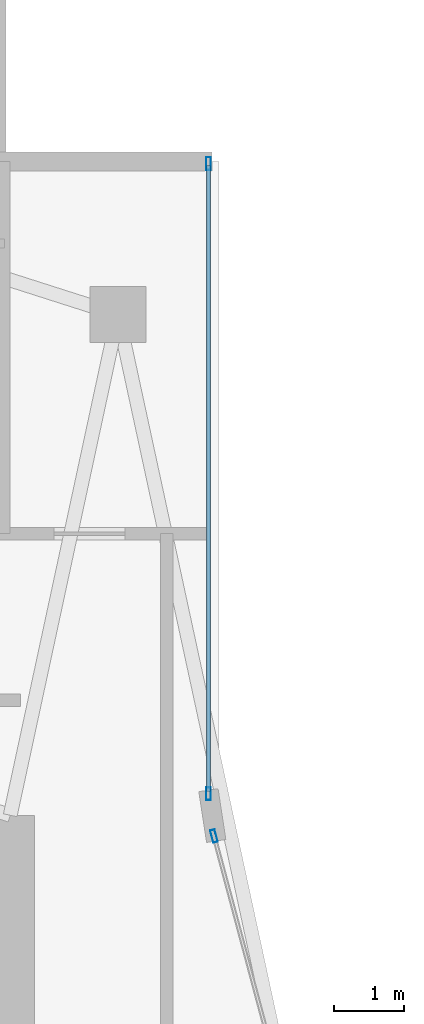
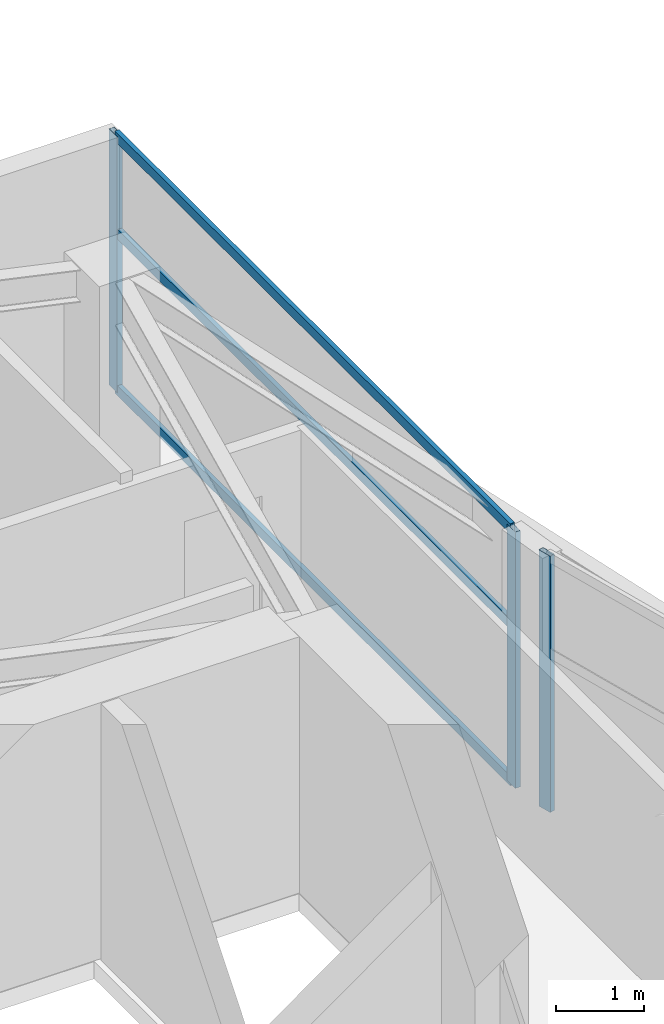
# One storey, part 20 of 30: 6 members, 2 elements without a shape of their own.
"""IFC4 building model written with IfcOpenShell, lengths in metres."""

from ifc_helpers import new_model, si_unit, direction, frame, origin, origin_2d, place, context, subcontext, project, spatial, hollow_rectangle, extrude, material, layer, layer_set, material_profile, profile_set, type_object, element, aggregate, save


model = new_model("IFC4")

# Units and contexts
model_context = context("Model", 3, precision=1e-05, world=origin(), true_north=direction((0.0, 1.0)))
body_context = subcontext(model_context, "Body", "Model", "MODEL_VIEW")
ifc_project = project(units=[si_unit("LENGTHUNIT", "METRE"), si_unit("AREAUNIT", "SQUARE_METRE"), si_unit("VOLUMEUNIT", "CUBIC_METRE"), si_unit("PLANEANGLEUNIT", "RADIAN"), si_unit("MASSUNIT", "GRAM", prefix="KILO")], contexts=[model_context])

# Site, building, storey
site_placement = place(None, origin())
site = spatial("IfcSite", under=ifc_project, at=site_placement, CompositionType="ELEMENT")
building_placement = place(site_placement, origin())
building = spatial("IfcBuilding", under=site, at=building_placement, Name="Calvorn Quay Hotel", CompositionType="ELEMENT")
storey_placement = place(building_placement, frame((0.0, 0.0, 203.39990234375)))
storey = spatial("IfcBuildingStorey", under=building, at=storey_placement, Name="L50", CompositionType="ELEMENT", Elevation=203.39990234375)

# Curtain wall, member
ifc_material_1 = material(Name="Champagne Bronze Anodised Aluminium and Low-E Glass", Category="aluminium")
ifc_layer = layer(ifc_material_1, 0.219970703125)
ifc_layer_set = layer_set([ifc_layer], Name="CW-SYS-Z3")
curtain_wall_type = type_object("IfcCurtainWallType", Name="CW-SYS-Z3", PredefinedType="NOTDEFINED", material=ifc_layer_set)
curtain_wall_1_placement = place(storey_placement, origin())
curtain_wall_1 = element("IfcCurtainWall", 1, at=curtain_wall_1_placement, inside=storey, type_object=curtain_wall_type, Name="Inner Court Curtain Wall L50-IC1", PredefinedType="NOTDEFINED")
ifc_material_2 = material(Name="Champagne Bronze Anodised Aluminium 6063-T6", Category="aluminium")
ifc_material_profile_1 = material_profile(ifc_material_2, hollow_rectangle(XDim=0.068115234375, YDim=0.18505859375, WallThickness=0.00390625, at=origin_2d()), Name="ALU-M185x68x4")
ifc_profile_set_1 = profile_set([ifc_material_profile_1], Name="Champagne Bronze Anodised Aluminium 6063-T6")
member_type_1 = type_object("IfcMemberType", Name="CW-SYS-Z3-MUL", PredefinedType="MULLION", material=ifc_profile_set_1)
member_1_placement = place(storey_placement, frame((17.9296875, 38.10107421875, 0.0), z_axis=(0.0, 0.0, 1.0), x_axis=(-0.96593652056, -0.25877913024, 0.0)))
member_1 = element("IfcMember", 2, at=member_1_placement, type_object=member_type_1, Name="CW-L50-IC1 mullion 2", PredefinedType="MULLION", context=body_context, shape_type="SweptSolid", body=[
    extrude(hollow_rectangle(XDim=0.068115234375, YDim=0.18505859375, WallThickness=0.00390625, at=origin_2d()), origin(), (0.0, 0.0, 1.0), 3.56005859375),
])
aggregate(curtain_wall_1, [member_1])

# Curtain wall, members
curtain_wall_2_placement = place(storey_placement, origin())
curtain_wall_2 = element("IfcCurtainWall", 3, at=curtain_wall_2_placement, inside=storey, type_object=curtain_wall_type, Name="Inner Court Curtain Wall L50-IC2", PredefinedType="NOTDEFINED")
member_2_placement = place(storey_placement, frame((17.85009765625, 38.7099609375, 0.0), z_axis=(0.0, 0.0, 1.0), x_axis=(-1.0, 0.0, 0.0)))
member_2 = element("IfcMember", 4, at=member_2_placement, type_object=member_type_1, Name="CW-L50-IC2 mullion 1", PredefinedType="MULLION", context=body_context, shape_type="SweptSolid", body=[
    extrude(hollow_rectangle(XDim=0.068115234375, YDim=0.18505859375, WallThickness=0.00390625, at=origin_2d()), origin(), (0.0, 0.0, 1.0), 3.56005859375),
])
member_3_placement = place(storey_placement, frame((17.85009765625, 47.77001953125, 0.0), z_axis=(0.0, 0.0, 1.0), x_axis=(-1.0, 0.0, 0.0)))
member_3 = element("IfcMember", 5, at=member_3_placement, type_object=member_type_1, Name="CW-L50-IC2 mullion 2", PredefinedType="MULLION", context=body_context, shape_type="SweptSolid", body=[
    extrude(hollow_rectangle(XDim=0.068115234375, YDim=0.18505859375, WallThickness=0.00390625, at=origin_2d()), origin(), (0.0, 0.0, 1.0), 3.56005859375),
])
ifc_material_3 = material(Name="Champagne Bronze Anodised Aluminium 6063-T6", Category="aluminium")
ifc_material_profile_2 = material_profile(ifc_material_3, hollow_rectangle(XDim=0.05810546875, YDim=0.139892578125, WallThickness=0.003173828125, at=origin_2d()), Name="ALU-T140x58x3.2")
ifc_profile_set_2 = profile_set([ifc_material_profile_2], Name="Champagne Bronze Anodised Aluminium 6063-T6")
member_type_2 = type_object("IfcMemberType", Name="CW-SYS-Z3-TRN", PredefinedType="USERDEFINED", material=ifc_profile_set_2)
member_4_placement = place(storey_placement, frame((17.85009765625, 38.739990234375, 0.030029296875), z_axis=(0.0, 1.0, 0.0), x_axis=(-1.0, 0.0, 0.0)))
member_4 = element("IfcMember", 6, at=member_4_placement, type_object=member_type_2, Name="CW-L50-IC2 transom 1.1", ObjectType="TRANSOM", PredefinedType="USERDEFINED", context=body_context, shape_type="SweptSolid", body=[
    extrude(hollow_rectangle(XDim=0.05810546875, YDim=0.139892578125, WallThickness=0.003173828125, at=origin_2d()), origin(), (0.0, 0.0, 1.0), 9.0),
])
member_5_placement = place(storey_placement, frame((17.85009765625, 38.739990234375, 2.2001953125), z_axis=(0.0, 1.0, 0.0), x_axis=(-1.0, 0.0, 0.0)))
member_5 = element("IfcMember", 7, at=member_5_placement, type_object=member_type_2, Name="CW-L50-IC2 transom 1.2", ObjectType="TRANSOM", PredefinedType="USERDEFINED", context=body_context, shape_type="SweptSolid", body=[
    extrude(hollow_rectangle(XDim=0.05810546875, YDim=0.139892578125, WallThickness=0.003173828125, at=origin_2d()), origin(), (0.0, 0.0, 1.0), 9.0),
])
member_6_placement = place(storey_placement, frame((17.85009765625, 38.739990234375, 3.530029296875), z_axis=(0.0, 1.0, 0.0), x_axis=(-1.0, 0.0, 0.0)))
member_6 = element("IfcMember", 8, at=member_6_placement, type_object=member_type_2, Name="CW-L50-IC2 transom 1.3", ObjectType="TRANSOM", PredefinedType="USERDEFINED", context=body_context, shape_type="SweptSolid", body=[
    extrude(hollow_rectangle(XDim=0.05810546875, YDim=0.139892578125, WallThickness=0.003173828125, at=origin_2d()), origin(), (0.0, 0.0, 1.0), 9.0),
])
aggregate(curtain_wall_2, [member_2, member_3, member_4, member_5, member_6])

save(model, "model.ifc")
